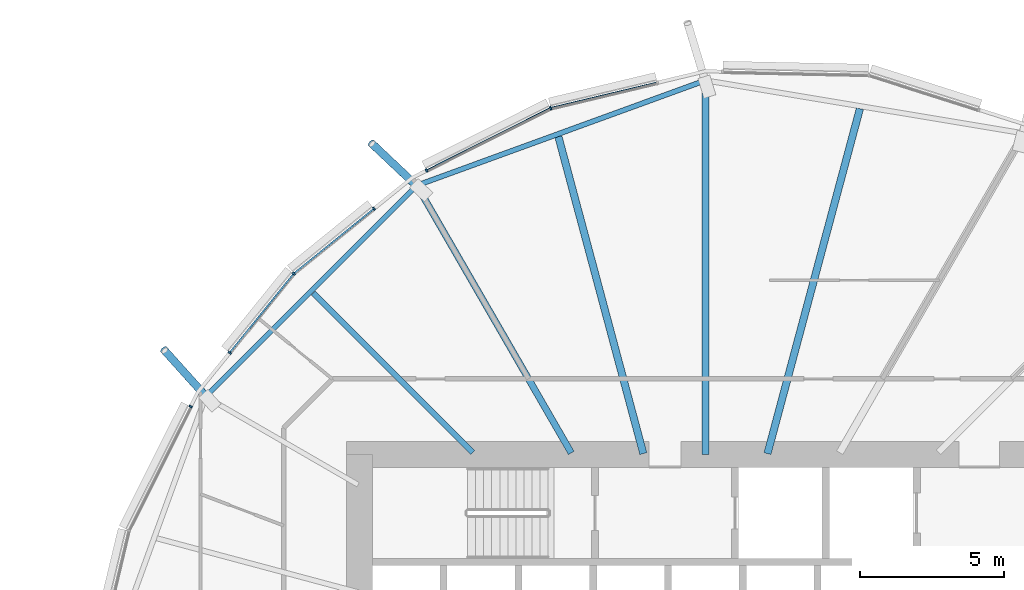
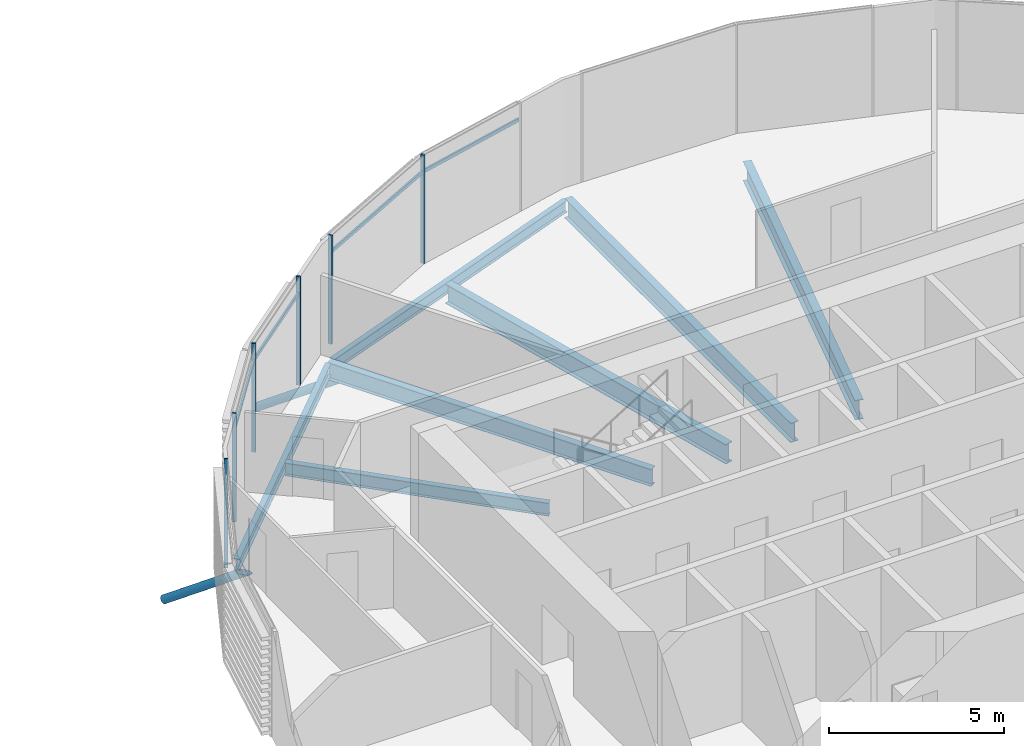
# One storey, part 17 of 37: 12 members, 7 beams, 1 element without a shape of its own.
"""IFC4 building model written with IfcOpenShell, lengths in metres."""

from ifc_helpers import new_model, si_unit, direction, frame, origin, origin_2d, place, context, subcontext, project, spatial, rectangle, hollow_circle, i_section, extrude, clip, halfspace, material, material_profile, profile_set, type_object, element, aggregate, save


model = new_model("IFC4")

# Units and contexts
model_context = context("Model", 3, precision=1e-05, world=origin(), true_north=direction((0.0, 1.0)))
body_context = subcontext(model_context, "Body", "Model", "MODEL_VIEW")
ifc_project = project(units=[si_unit("LENGTHUNIT", "METRE"), si_unit("AREAUNIT", "SQUARE_METRE"), si_unit("VOLUMEUNIT", "CUBIC_METRE"), si_unit("PLANEANGLEUNIT", "RADIAN"), si_unit("MASSUNIT", "GRAM", prefix="KILO")], contexts=[model_context])

# Site, building, storey
site_placement = place(None, origin())
site = spatial("IfcSite", under=ifc_project, at=site_placement, CompositionType="ELEMENT")
building_placement = place(site_placement, origin())
building = spatial("IfcBuilding", under=site, at=building_placement, Name="Rimbun Link Towers", CompositionType="ELEMENT")
storey_placement = place(building_placement, frame((0.0, 0.0, 45.199951171875)))
storey = spatial("IfcBuildingStorey", under=building, at=storey_placement, Name="L10", CompositionType="ELEMENT", Elevation=45.199951171875)

# Curtain wall, members
ifc_material_1 = material(Name="Aluminium 6063-T6 and low-iron glass", Category="aluminium")
curtain_wall_type = type_object("IfcCurtainWallType", Name="CW1 unitised vision wall", PredefinedType="NOTDEFINED", material=ifc_material_1)
curtain_wall_placement = place(storey_placement, origin())
curtain_wall = element("IfcCurtainWall", 1, at=curtain_wall_placement, inside=storey, type_object=curtain_wall_type, Name="CW1 L10 T2", PredefinedType="NOTDEFINED")
ifc_material_2 = material(Name="Aluminium 6063-T6", Category="aluminium")
ifc_material_profile_1 = material_profile(ifc_material_2, rectangle(XDim=0.1201171875, YDim=0.06005859375, at=origin_2d()), Name="MULLION 60X120")
ifc_profile_set_1 = profile_set([ifc_material_profile_1], Name="Aluminium 6063-T6")
member_type_1 = type_object("IfcMemberType", Name="CW1 mullion 60X120", PredefinedType="MULLION", material=ifc_profile_set_1)
member_1_placement = place(storey_placement, frame((26.383056640625, 20.009521484375, 0.0), z_axis=(0.0, 0.0, 1.0), x_axis=(-0.342965819961, 0.939347883555, 0.0)))
member_1 = element("IfcMember", 2, at=member_1_placement, type_object=member_type_1, Name="CW1 mullion", PredefinedType="MULLION", context=body_context, shape_type="SweptSolid", body=[
    extrude(rectangle(XDim=0.1201171875, YDim=0.06005859375, at=origin_2d()), origin(), (0.0, 0.0, 1.0), 3.800048828125),
])
member_2_placement = place(storey_placement, frame((22.082275390625, 17.850341796875, 0.0), z_axis=(0.0, 0.0, 1.0), x_axis=(-0.448766443776, 0.893649080423, 0.0)))
member_2 = element("IfcMember", 3, at=member_2_placement, type_object=member_type_1, Name="CW1 mullion", PredefinedType="MULLION", context=body_context, shape_type="SweptSolid", body=[
    extrude(rectangle(XDim=0.1201171875, YDim=0.06005859375, at=origin_2d()), origin(), (0.0, 0.0, 1.0), 3.800048828125),
])
member_3_placement = place(storey_placement, frame((17.475830078125, 14.274169921875, 0.0), z_axis=(0.0, 0.0, 1.0), x_axis=(-0.707106781187, 0.707106781187, 0.0)))
member_3 = element("IfcMember", 4, at=member_3_placement, type_object=member_type_1, Name="CW1 mullion", PredefinedType="MULLION", context=body_context, shape_type="SweptSolid", body=[
    extrude(rectangle(XDim=0.1201171875, YDim=0.06005859375, at=origin_2d()), origin(), (0.0, 0.0, 1.0), 3.800048828125),
])
member_4_placement = place(storey_placement, frame((20.258544921875, 16.52685546875, 0.0), z_axis=(0.0, 0.0, 1.0), x_axis=(-0.629154590729, 0.777280194631, 0.0)))
member_4 = element("IfcMember", 5, at=member_4_placement, type_object=member_type_1, Name="CW1 mullion", PredefinedType="MULLION", context=body_context, shape_type="SweptSolid", body=[
    extrude(rectangle(XDim=0.1201171875, YDim=0.06005859375, at=origin_2d()), origin(), (0.0, 0.0, 1.0), 3.800048828125),
])
member_5_placement = place(storey_placement, frame((15.254638671875, 11.5302734375, 0.0), z_axis=(0.0, 0.0, 1.0), x_axis=(-0.777280194631, 0.629154590729, 0.0)))
member_5 = element("IfcMember", 6, at=member_5_placement, type_object=member_type_1, Name="CW1 mullion", PredefinedType="MULLION", context=body_context, shape_type="SweptSolid", body=[
    extrude(rectangle(XDim=0.1201171875, YDim=0.06005859375, at=origin_2d()), origin(), (0.0, 0.0, 1.0), 3.800048828125),
])
member_6_placement = place(storey_placement, frame((13.899658203125, 9.667724609375, 0.0), z_axis=(0.0, 0.0, 1.0), x_axis=(-0.893649080423, 0.448766443776, 0.0)))
member_6 = element("IfcMember", 7, at=member_6_placement, type_object=member_type_1, Name="CW1 mullion", PredefinedType="MULLION", context=body_context, shape_type="SweptSolid", body=[
    extrude(rectangle(XDim=0.1201171875, YDim=0.06005859375, at=origin_2d()), origin(), (0.0, 0.0, 1.0), 3.800048828125),
])
ifc_material_3 = material(Name="Aluminium 6063-T6", Category="aluminium")
ifc_material_profile_2 = material_profile(ifc_material_3, rectangle(XDim=0.06005859375, YDim=0.1201171875, at=origin_2d()), Name="TRANSOM 60X120")
ifc_profile_set_2 = profile_set([ifc_material_profile_2], Name="Aluminium 6063-T6")
member_type_2 = type_object("IfcMemberType", Name="CW1 transom 60X120", PredefinedType="USERDEFINED", material=ifc_profile_set_2)
member_7_placement = place(storey_placement, frame((26.419189453125, 20.0166015625, 3.199951171875), z_axis=(0.972566683754, 0.23262425852, 0.0), x_axis=(-0.23262425852, 0.972566683754, 0.0)))
member_7 = element("IfcMember", 8, at=member_7_placement, type_object=member_type_2, Name="CW1 transom", ObjectType="TRANSOM", PredefinedType="USERDEFINED", context=body_context, shape_type="SweptSolid", body=[
    extrude(rectangle(XDim=0.06005859375, YDim=0.1201171875, at=origin_2d()), origin(), (0.0, 0.0, 1.0), 3.7373046875),
])
member_8_placement = place(storey_placement, frame((22.10986328125, 17.86181640625, 3.199951171875), z_axis=(0.893654181785, 0.448756285056, 0.0), x_axis=(-0.448756285056, 0.893654181785, 0.0)))
member_8 = element("IfcMember", 9, at=member_8_placement, type_object=member_type_2, Name="CW1 transom", ObjectType="TRANSOM", PredefinedType="USERDEFINED", context=body_context, shape_type="SweptSolid", body=[
    extrude(rectangle(XDim=0.06005859375, YDim=0.1201171875, at=origin_2d()), origin(), (0.0, 0.0, 1.0), 4.74560546875),
])
member_9_placement = place(storey_placement, frame((17.505126953125, 14.295654296875, 3.199951171875), z_axis=(0.777283702431, 0.629150257041, 0.0), x_axis=(-0.629150257041, 0.777283702431, 0.0)))
member_9 = element("IfcMember", 10, at=member_9_placement, type_object=member_type_2, Name="CW1 transom", ObjectType="TRANSOM", PredefinedType="USERDEFINED", context=body_context, shape_type="SweptSolid", body=[
    extrude(rectangle(XDim=0.06005859375, YDim=0.1201171875, at=origin_2d()), origin(), (0.0, 0.0, 1.0), 3.513671875),
])
member_10_placement = place(storey_placement, frame((15.27490234375, 11.552490234375, 3.199951171875), z_axis=(0.629179980787, 0.777259642447, 0.0), x_axis=(-0.777259642447, 0.629179980787, 0.0)))
member_10 = element("IfcMember", 11, at=member_10_placement, type_object=member_type_2, Name="CW1 transom", ObjectType="TRANSOM", PredefinedType="USERDEFINED", context=body_context, shape_type="SweptSolid", body=[
    extrude(rectangle(XDim=0.06005859375, YDim=0.1201171875, at=origin_2d()), origin(), (0.0, 0.0, 1.0), 3.4638671875),
])
aggregate(curtain_wall, [member_1, member_2, member_3, member_4, member_5, member_6, member_7, member_8, member_9, member_10])

# Members
ifc_material_4 = material(Name="Steel S355J2H", Category="steel")
ifc_material_profile_3 = material_profile(ifc_material_4, hollow_circle(Radius=0.136474609375, WallThickness=0.012451171875, at=origin_2d()), Name="CHS 273x12.5")
ifc_profile_set_3 = profile_set([ifc_material_profile_3], Name="Steel S355J2H")
member_type_3 = type_object("IfcMemberType", Name="Floor edge link CHS 273x12.5", PredefinedType="BRACE", material=ifc_profile_set_3)
member_11_placement = place(storey_placement, frame((21.769287109375, 17.287353515625, -0.880859375), z_axis=(-0.632206783855, 0.596961471737, -0.49391455102), x_axis=(-0.686548935957, -0.727083598038, 0.0)))
element("IfcMember", 12, at=member_11_placement, inside=storey, type_object=member_type_3, Name="Floor edge link T2 L10 05", PredefinedType="BRACE", context=body_context, shape_type="Clipping", body=[
    clip(extrude(hollow_circle(Radius=0.136474609375, WallThickness=0.012451171875, at=origin_2d()), frame((0.0, 0.0, -0.5009765625)), (0.0, 0.0, 1.0), 3.04296875), halfspace(frame((0.0, 0.0, -0.235595703125), z_axis=(0.0, 0.869510446338, -0.49391455102)), False)),
])
member_12_placement = place(storey_placement, frame((14.462646484375, 9.980712890625, -0.631103515625), z_axis=(-0.570236380872, 0.633813495758, -0.522600155496), x_axis=(-0.743408308996, -0.668837862352, 0.0)))
element("IfcMember", 13, at=member_12_placement, inside=storey, type_object=member_type_3, Name="Floor edge link T2 L10 07", PredefinedType="BRACE", context=body_context, shape_type="Clipping", body=[
    clip(extrude(hollow_circle(Radius=0.136474609375, WallThickness=0.012451171875, at=origin_2d()), frame((0.0, 0.0, -0.464599609375)), (0.0, 0.0, 1.0), 3.08349609375), halfspace(frame((0.0, 0.0, -0.218505859375), z_axis=(0.0, 0.852577901118, -0.522600155496)), False)),
])

# Beams
ifc_material_5 = material(Name="Steel S355J2", Category="steel")
ifc_material_profile_4 = material_profile(ifc_material_5, i_section(OverallWidth=0.177978515625, OverallDepth=0.406494140625, WebThickness=0.0078125, FlangeThickness=0.0126953125, at=origin_2d()), Name="UB 406x178x60")
ifc_profile_set_4 = profile_set([ifc_material_profile_4], Name="Steel S355J2")
beam_type_1 = type_object("IfcBeamType", Name="UB 406x178x60", PredefinedType="BEAM", material=ifc_profile_set_4)
beam_1_placement = place(storey_placement, frame((31.622314453125, 20.92822265625, -0.363037109375), z_axis=(-0.939626011614, -0.342203095103, 0.0), x_axis=(0.342203095103, -0.939626011614, 0.0)))
element("IfcBeam", 14, at=beam_1_placement, inside=storey, type_object=beam_type_1, Name="Edge beam T2 L10 03-05", PredefinedType="BEAM", context=body_context, shape_type="SweptSolid", body=[
    extrude(i_section(OverallWidth=0.177978515625, OverallDepth=0.406494140625, WebThickness=0.0078125, FlangeThickness=0.0126953125, at=origin_2d()), origin(), (0.0, 0.0, 1.0), 10.396240234375),
])
beam_2_placement = place(storey_placement, frame((21.66015625, 17.24658203125, -0.363037109375), z_axis=(-0.707106781187, -0.707106781187, 0.0), x_axis=(0.707106781187, -0.707106781187, 0.0)))
element("IfcBeam", 15, at=beam_2_placement, inside=storey, type_object=beam_type_1, Name="Edge beam T2 L10 05-07", PredefinedType="BEAM", context=body_context, shape_type="SweptSolid", body=[
    extrude(i_section(OverallWidth=0.177978515625, OverallDepth=0.406494140625, WebThickness=0.0078125, FlangeThickness=0.0126953125, at=origin_2d()), origin(), (0.0, 0.0, 1.0), 10.150146484375),
])
ifc_material_6 = material(Name="Steel S355J2", Category="steel")
ifc_material_profile_5 = material_profile(ifc_material_6, i_section(OverallWidth=0.18994140625, OverallDepth=0.453369140625, WebThickness=0.008544921875, FlangeThickness=0.0126953125, at=origin_2d()), Name="UB 457x191x67")
ifc_profile_set_5 = profile_set([ifc_material_profile_5], Name="Steel S355J2")
beam_type_2 = type_object("IfcBeamType", Name="UB 457x191x67", PredefinedType="BEAM", material=ifc_profile_set_5)
beam_3_placement = place(storey_placement, frame((23.68212890625, 8.06787109375, -0.38671875), z_axis=(-0.707106781187, 0.707106781187, 0.0), x_axis=(-0.707106781187, -0.707106781187, 0.0)))
element("IfcBeam", 16, at=beam_3_placement, inside=storey, type_object=beam_type_2, Name="Radial beam T2 L10 06", PredefinedType="BEAM", context=body_context, shape_type="SweptSolid", body=[
    extrude(i_section(OverallWidth=0.18994140625, OverallDepth=0.453369140625, WebThickness=0.008544921875, FlangeThickness=0.0126953125, at=origin_2d()), origin(), (0.0, 0.0, 1.0), 7.830078125),
])
ifc_material_7 = material(Name="Steel S355J2", Category="steel")
ifc_material_profile_6 = material_profile(ifc_material_7, i_section(OverallWidth=0.2275390625, OverallDepth=0.6025390625, WebThickness=0.010498046875, FlangeThickness=0.014892578125, at=origin_2d()), Name="UB 610x229x101")
ifc_profile_set_6 = profile_set([ifc_material_profile_6], Name="Steel S355J2")
beam_type_3 = type_object("IfcBeamType", Name="UB 610x229x101", PredefinedType="BEAM", material=ifc_profile_set_6)
beam_4_placement = place(storey_placement, frame((27.097900390625, 8.057861328125, -0.461181640625), z_axis=(-0.500011276819, 0.866018893012, 0.0), x_axis=(-0.866018893012, -0.500011276819, 0.0)))
element("IfcBeam", 17, at=beam_4_placement, inside=storey, type_object=beam_type_3, Name="Radial beam T2 L10 05", PredefinedType="BEAM", context=body_context, shape_type="SweptSolid", body=[
    extrude(i_section(OverallWidth=0.2275390625, OverallDepth=0.6025390625, WebThickness=0.010498046875, FlangeThickness=0.014892578125, at=origin_2d()), origin(), (0.0, 0.0, 1.0), 10.707275390625),
])
ifc_material_8 = material(Name="Steel S355J2", Category="steel")
ifc_material_profile_7 = material_profile(ifc_material_8, i_section(OverallWidth=0.253662109375, OverallDepth=0.68359375, WebThickness=0.012451171875, FlangeThickness=0.01904296875, at=origin_2d()), Name="UB 686x254x140")
ifc_profile_set_7 = profile_set([ifc_material_profile_7], Name="Steel S355J2")
beam_type_4 = type_object("IfcBeamType", Name="UB 686x254x140", PredefinedType="BEAM", material=ifc_profile_set_7)
beam_5_placement = place(storey_placement, frame((33.902587890625, 8.03369140625, -0.501708984375), z_axis=(0.258811328471, 0.965927893921, 0.0), x_axis=(-0.965927893921, 0.258811328471, 0.0)))
element("IfcBeam", 18, at=beam_5_placement, inside=storey, type_object=beam_type_4, Name="Radial beam T2 L10 02", PredefinedType="BEAM", context=body_context, shape_type="SweptSolid", body=[
    extrude(i_section(OverallWidth=0.253662109375, OverallDepth=0.68359375, WebThickness=0.012451171875, FlangeThickness=0.01904296875, at=origin_2d()), origin(), (0.0, 0.0, 1.0), 12.380126953125),
])
beam_6_placement = place(storey_placement, frame((31.75, 8.0009765625, -0.501708984375), z_axis=(0.0, 1.0, 0.0), x_axis=(-1.0, 0.0, 0.0)))
element("IfcBeam", 19, at=beam_6_placement, inside=storey, type_object=beam_type_4, Name="Radial beam T2 L10 03", PredefinedType="BEAM", context=body_context, shape_type="SweptSolid", body=[
    extrude(i_section(OverallWidth=0.253662109375, OverallDepth=0.68359375, WebThickness=0.012451171875, FlangeThickness=0.01904296875, at=origin_2d()), origin(), (0.0, 0.0, 1.0), 12.973876953125),
])
beam_7_placement = place(storey_placement, frame((29.597412109375, 8.03369140625, -0.501708984375), z_axis=(-0.25882583061, 0.965924008092, 0.0), x_axis=(-0.965924008092, -0.25882583061, 0.0)))
element("IfcBeam", 20, at=beam_7_placement, inside=storey, type_object=beam_type_4, Name="Radial beam T2 L10 04", PredefinedType="BEAM", context=body_context, shape_type="SweptSolid", body=[
    extrude(i_section(OverallWidth=0.253662109375, OverallDepth=0.68359375, WebThickness=0.012451171875, FlangeThickness=0.01904296875, at=origin_2d()), origin(), (0.0, 0.0, 1.0), 11.376708984375),
])

save(model, "model.ifc")
